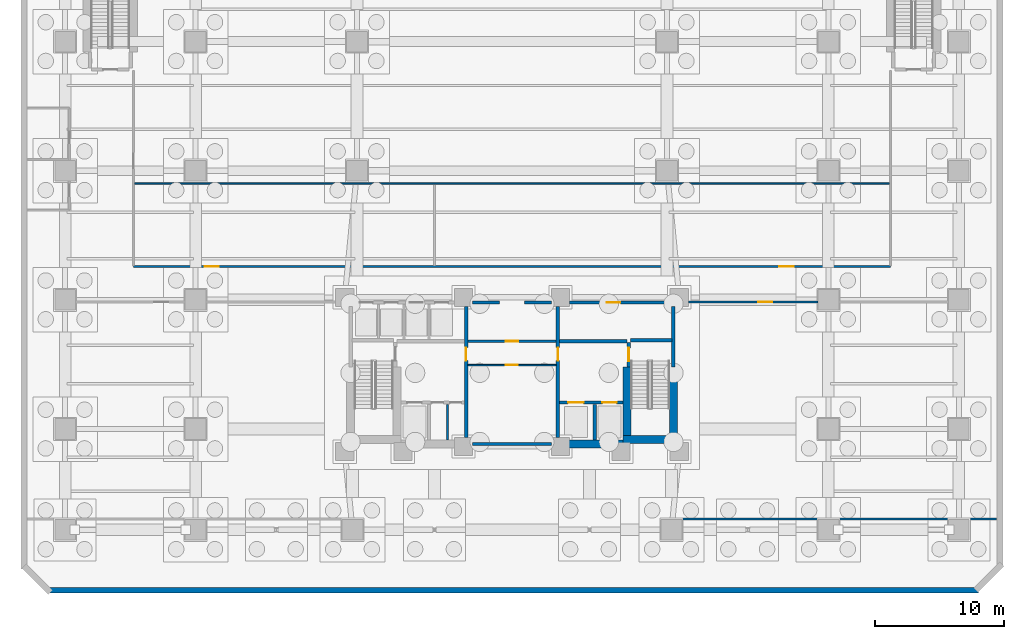
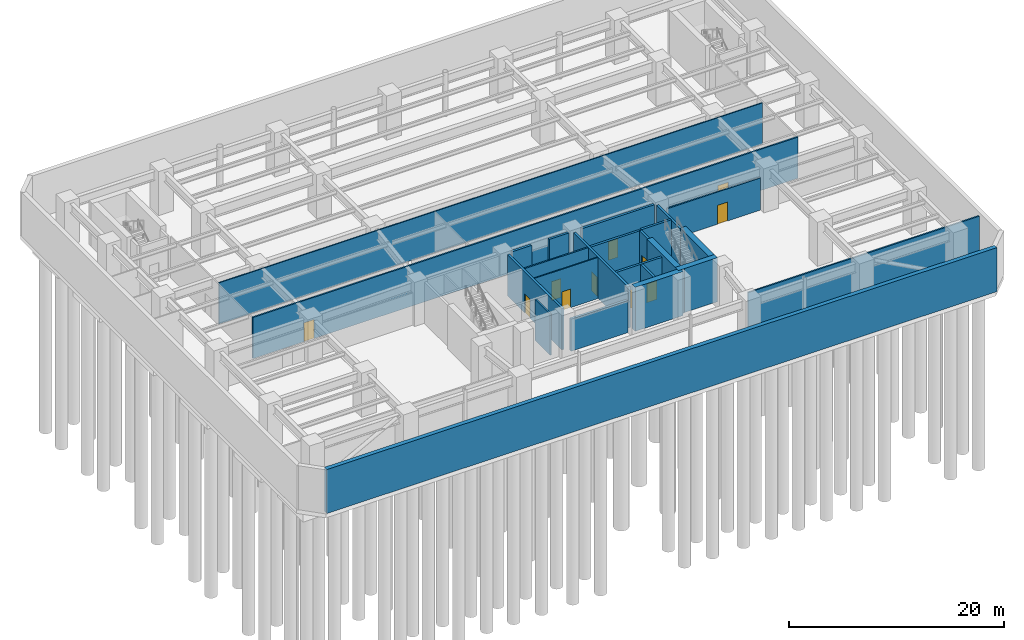
# One storey, part 9 of 15: 24 walls, 11 doors, 11 openings.
"""IFC4 building model written with IfcOpenShell, lengths in metres."""

from ifc_helpers import new_model, si_unit, direction, frame, frame_2d, origin, place, context, subcontext, project, spatial, rectangle, extrude, material, layer, layer_set, type_object, element, fill, save


model = new_model("IFC4")

# Units and contexts
model_context = context("Model", 3, precision=1e-05, world=origin(), true_north=direction((0.0, 1.0)))
body_context = subcontext(model_context, "Body", "Model", "MODEL_VIEW")
ifc_project = project(units=[si_unit("LENGTHUNIT", "METRE"), si_unit("AREAUNIT", "SQUARE_METRE"), si_unit("VOLUMEUNIT", "CUBIC_METRE"), si_unit("PLANEANGLEUNIT", "RADIAN"), si_unit("MASSUNIT", "GRAM", prefix="KILO")], contexts=[model_context])

# Site, building, storey
site_placement = place(None, origin())
site = spatial("IfcSite", under=ifc_project, at=site_placement, CompositionType="ELEMENT")
building_placement = place(site_placement, origin())
building = spatial("IfcBuilding", under=site, at=building_placement, Name="Quenlor Broadcast Tower", CompositionType="ELEMENT")
storey_placement = place(building_placement, frame((0.0, 0.0, -10.0)))
storey = spatial("IfcBuildingStorey", under=building, at=storey_placement, Name="B02", CompositionType="ELEMENT", Elevation=-10.0)

# Walls
ifc_material_1 = material(Name="Concrete C50/60", Category="concrete")
ifc_layer_1 = layer(ifc_material_1, 0.449951171875)
ifc_layer_set_1 = layer_set([ifc_layer_1], Name="Basement Concrete C50/60 Retaining Wall 450")
wall_type_1 = type_object("IfcWallType", Name="Basement Concrete C50/60 Retaining Wall 450", PredefinedType="USERDEFINED", material=ifc_layer_set_1)
wall_1_placement = place(storey_placement, frame((36.1318359375, -27.47509765625, 0.0), z_axis=(0.0, 0.0, 1.0), x_axis=(-1.0, 0.0, 0.0)))
element("IfcWall", 1, at=wall_1_placement, inside=storey, type_object=wall_type_1, Name="B02 Perimeter Retaining Wall 8", ObjectType="RETAININGWALL", PredefinedType="USERDEFINED", context=body_context, shape_type="SweptSolid", body=[
    extrude(rectangle(XDim=72.03857421875, YDim=0.449951171875, at=frame_2d((36.019287109375, 0.0))), origin(), (0.0, 0.0, 1.0), 5.0),
])
ifc_material_2 = material(Name="Concrete C65/80", Category="concrete")
ifc_layer_2 = layer(ifc_material_2, 0.60009765625)
ifc_layer_set_2 = layer_set([ifc_layer_2], Name="Core Concrete C65/80 Shear Wall 600")
wall_type_2 = type_object("IfcWallType", Name="Core Concrete C65/80 Shear Wall 600", PredefinedType="SHEAR", material=ifc_layer_set_2)
wall_2_placement = place(storey_placement, frame((3.75, -16.14990234375, 0.0), z_axis=(0.0, 0.0, 1.0), x_axis=(1.0, 0.0, 0.0)))
element("IfcWall", 2, at=wall_2_placement, inside=storey, type_object=wall_type_2, Name="B02 Core Shear Wall WS-E1", PredefinedType="SHEAR", context=body_context, shape_type="SweptSolid", body=[
    extrude(rectangle(XDim=5.14990234375, YDim=0.60009765625, at=frame_2d((2.574951171875, 0.0))), origin(), (0.0, 0.0, 1.0), 5.0),
])
wall_3_placement = place(storey_placement, frame((8.60009765625, -15.800048828125, 0.0), z_axis=(0.0, 0.0, 1.0), x_axis=(1.0, 0.0, 0.0)))
element("IfcWall", 3, at=wall_3_placement, inside=storey, type_object=wall_type_2, Name="B02 Core Shear Wall WS-E2", PredefinedType="SHEAR", context=body_context, shape_type="SweptSolid", body=[
    extrude(rectangle(XDim=4.199951171875, YDim=0.60009765625, at=frame_2d((2.10009765625, 0.0))), origin(), (0.0, 0.0, 1.0), 5.0),
])
wall_4_placement = place(storey_placement, frame((12.5, -15.800048828125, 0.0), z_axis=(0.0, 0.0, 1.0), x_axis=(0.0, 1.0, 0.0)))
element("IfcWall", 4, at=wall_4_placement, inside=storey, type_object=wall_type_2, Name="B02 Core Shear Wall WF-E", PredefinedType="SHEAR", context=body_context, shape_type="SweptSolid", body=[
    extrude(rectangle(XDim=5.60009765625, YDim=0.60009765625, at=frame_2d((2.800048828125, 0.0))), origin(), (0.0, 0.0, 1.0), 5.0),
])
wall_5_placement = place(storey_placement, frame((8.89990234375, -16.14990234375, 0.0), z_axis=(0.0, 0.0, 1.0), x_axis=(0.0, 1.0, 0.0)))
element("IfcWall", 5, at=wall_5_placement, inside=storey, type_object=wall_type_2, Name="B02 Core Shear Wall WI-E", PredefinedType="SHEAR", context=body_context, shape_type="SweptSolid", body=[
    extrude(rectangle(XDim=5.949951171875, YDim=0.60009765625, at=frame_2d((2.97509765625, 0.0))), origin(), (0.0, 0.0, 1.0), 5.0),
])

# Wall, opening, door
ifc_material_3 = material(Name="Concrete C40/50", Category="concrete")
ifc_layer_3 = layer(ifc_material_3, 0.25)
ifc_layer_set_3 = layer_set([ifc_layer_3], Name="Fire Rated Concrete C40/50 Core Wall 250")
wall_type_3 = type_object("IfcWallType", Name="Fire Rated Concrete C40/50 Core Wall 250", PredefinedType="PARTITIONING", material=ifc_layer_set_3)
wall_6_placement = place(storey_placement, frame((9.0400390625, -10.179931640625, 0.0), z_axis=(0.0, 0.0, 1.0), x_axis=(0.0, 1.0, 0.0)))
wall_6 = element("IfcWall", 6, at=wall_6_placement, inside=storey, type_object=wall_type_3, Name="B02 Interior Wall CW-ST2-DR", PredefinedType="PARTITIONING", context=body_context, shape_type="SweptSolid", body=[
    extrude(rectangle(XDim=1.89990234375, YDim=0.25, at=frame_2d((0.949951171875, 0.0))), origin(), (0.0, 0.0, 1.0), 4.679931640625),
])
opening_1_placement = place(wall_6_placement, frame((0.419921875, 0.0, 0.0)))
opening_1 = element("IfcOpeningElement", 7, at=opening_1_placement, cuts=wall_6, Name="Opening FD-1", PredefinedType="OPENING", context=body_context, shape_type="SweptSolid", body=[
    extrude(rectangle(XDim=1.050048828125, YDim=2.14990234375, at=frame_2d((0.52490234375, 1.074951171875))), frame((0.0, 0.135009765625, 0.0), z_axis=(0.0, -1.0, 0.0), x_axis=(1.0, 0.0, 0.0)), (0.0, 0.0, 1.0), 0.27001953125),
])
ifc_material_4 = material(Name="Fire Rated Steel Door Leaf", Category="steel")
door_type_1 = type_object("IfcDoorType", Name="Fire Isolated Stair Door 1050x2150", OperationType="NOTDEFINED", PredefinedType="DOOR", material=ifc_material_4)
door_1_placement = place(opening_1_placement, origin())
door_1 = element("IfcDoor", 8, at=door_1_placement, inside=storey, type_object=door_type_1, Name="B02 Door DR-ST2", OperationType="SINGLE_SWING_RIGHT", OverallHeight=2.14990234375, OverallWidth=1.050048828125, PredefinedType="DOOR", context=body_context, shape_type="SweptSolid", body=[
    extrude(rectangle(XDim=1.050048828125, YDim=2.14990234375, at=frame_2d((0.52490234375, 1.074951171875))), frame((0.0, 0.02490234375, 0.0), z_axis=(0.0, -1.0, 0.0), x_axis=(1.0, 0.0, 0.0)), (0.0, 0.0, 1.0), 0.050048828125),
])
fill(opening_1, door_1)

# Walls
wall_7_placement = place(storey_placement, frame((9.159912109375, -8.1201171875, 0.0), z_axis=(0.0, 0.0, 1.0), x_axis=(1.0, 0.0, 0.0)))
element("IfcWall", 9, at=wall_7_placement, inside=storey, type_object=wall_type_3, Name="B02 Interior Wall CW-ST2-N", PredefinedType="PARTITIONING", context=body_context, shape_type="SweptSolid", body=[
    extrude(rectangle(XDim=3.219970703125, YDim=0.25, at=frame_2d((1.60986328125, 0.0))), origin(), (0.0, 0.0, 1.0), 4.679931640625),
])
wall_8_placement = place(storey_placement, frame((12.47998046875, -10.179931640625, 0.0), z_axis=(0.0, 0.0, 1.0), x_axis=(0.0, 1.0, 0.0)))
element("IfcWall", 10, at=wall_8_placement, inside=storey, type_object=wall_type_3, Name="B02 Interior Wall CW-ST2-E2", PredefinedType="PARTITIONING", context=body_context, shape_type="SweptSolid", body=[
    extrude(rectangle(XDim=4.677978515625, YDim=0.25, at=frame_2d((2.3388671875, 0.0))), origin(), (0.0, 0.0, 1.0), 4.679931640625),
])

# Wall, openings, doors
wall_9_placement = place(storey_placement, frame((3.679931640625, -12.949951171875, 0.0), z_axis=(0.0, 0.0, 1.0), x_axis=(1.0, 0.0, 0.0)))
wall_9 = element("IfcWall", 11, at=wall_9_placement, inside=storey, type_object=wall_type_3, Name="B02 Interior Wall CW-FFE-S", PredefinedType="PARTITIONING", context=body_context, shape_type="SweptSolid", body=[
    extrude(rectangle(XDim=4.91796875, YDim=0.25, at=frame_2d((2.458984375, 0.0))), origin(), (0.0, 0.0, 1.0), 4.679931640625),
])
opening_2_placement = place(wall_9_placement, frame((3.320068359375, 0.0, 0.0)))
opening_2 = element("IfcOpeningElement", 12, at=opening_2_placement, cuts=wall_9, Name="Opening LD-FFL-2", PredefinedType="OPENING", context=body_context, shape_type="SweptSolid", body=[
    extrude(rectangle(XDim=1.10009765625, YDim=2.14990234375, at=frame_2d((0.550048828125, 1.074951171875))), frame((0.0, 0.135009765625, 0.0), z_axis=(0.0, -1.0, 0.0), x_axis=(1.0, 0.0, 0.0)), (0.0, 0.0, 1.0), 0.27001953125),
])
opening_3_placement = place(wall_9_placement, frame((0.669921875, 0.0, 0.0)))
opening_3 = element("IfcOpeningElement", 13, at=opening_3_placement, cuts=wall_9, Name="Opening LD-SVL-1", PredefinedType="OPENING", context=body_context, shape_type="SweptSolid", body=[
    extrude(rectangle(XDim=1.199951171875, YDim=2.14990234375, at=frame_2d((0.60009765625, 1.074951171875))), frame((0.0, 0.135009765625, 0.0), z_axis=(0.0, -1.0, 0.0), x_axis=(1.0, 0.0, 0.0)), (0.0, 0.0, 1.0), 0.27001953125),
])
ifc_material_5 = material(Name="Brushed Stainless Steel", Category="steel")
door_type_2 = type_object("IfcDoorType", Name="Emergency Lift Sliding Landing Door 1100x2150", OperationType="NOTDEFINED", PredefinedType="DOOR", material=ifc_material_5)
door_2_placement = place(opening_2_placement, origin())
door_2 = element("IfcDoor", 14, at=door_2_placement, inside=storey, type_object=door_type_2, Name="B02 Door LD-FFL-2", OperationType="SLIDING_TO_RIGHT", OverallHeight=2.14990234375, OverallWidth=1.10009765625, PredefinedType="DOOR", context=body_context, shape_type="SweptSolid", body=[
    extrude(rectangle(XDim=1.10009765625, YDim=2.14990234375, at=frame_2d((0.550048828125, 1.074951171875))), frame((0.0, 0.02490234375, 0.0), z_axis=(0.0, -1.0, 0.0), x_axis=(1.0, 0.0, 0.0)), (0.0, 0.0, 1.0), 0.050048828125),
])
fill(opening_2, door_2)
ifc_material_6 = material(Name="Brushed Stainless Steel", Category="steel")
door_type_3 = type_object("IfcDoorType", Name="Goods Lift Sliding Landing Door 1200x2150", OperationType="NOTDEFINED", PredefinedType="DOOR", material=ifc_material_6)
door_3_placement = place(opening_3_placement, origin())
door_3 = element("IfcDoor", 15, at=door_3_placement, inside=storey, type_object=door_type_3, Name="B02 Door LD-SVL-1", OperationType="SLIDING_TO_LEFT", OverallHeight=2.14990234375, OverallWidth=1.199951171875, PredefinedType="DOOR", context=body_context, shape_type="SweptSolid", body=[
    extrude(rectangle(XDim=1.199951171875, YDim=2.14990234375, at=frame_2d((0.60009765625, 1.074951171875))), frame((0.0, 0.02490234375, 0.0), z_axis=(0.0, -1.0, 0.0), x_axis=(1.0, 0.0, 0.0)), (0.0, 0.0, 1.0), 0.050048828125),
])
fill(opening_3, door_3)

# Walls
wall_10_placement = place(storey_placement, frame((6.39990234375, -15.847900390625, 0.0), z_axis=(0.0, 0.0, 1.0), x_axis=(0.0, 1.0, 0.0)))
element("IfcWall", 16, at=wall_10_placement, inside=storey, type_object=wall_type_3, Name="B02 Interior Wall CW-SV1-E", PredefinedType="PARTITIONING", context=body_context, shape_type="SweptSolid", body=[
    extrude(rectangle(XDim=2.7578125, YDim=0.25, at=frame_2d((1.37890625, 0.0))), origin(), (0.0, 0.0, 1.0), 4.679931640625),
])
wall_11_placement = place(storey_placement, frame((3.679931640625, -8.199951171875, 0.0), z_axis=(0.0, 0.0, 1.0), x_axis=(1.0, 0.0, 0.0)))
element("IfcWall", 17, at=wall_11_placement, inside=storey, type_object=wall_type_3, Name="B02 Interior Wall CW-FFE-N", PredefinedType="PARTITIONING", context=body_context, shape_type="SweptSolid", body=[
    extrude(rectangle(XDim=5.239990234375, YDim=0.25, at=frame_2d((2.6201171875, 0.0))), origin(), (0.0, 0.0, 1.0), 4.679931640625),
])

# Wall, opening, door
wall_12_placement = place(storey_placement, frame((-3.550048828125, -15.64794921875, 0.0), z_axis=(0.0, 0.0, 1.0), x_axis=(0.0, 1.0, 0.0)))
wall_12 = element("IfcWall", 18, at=wall_12_placement, inside=storey, type_object=wall_type_3, Name="B02 Interior Wall CW-FFW-E", PredefinedType="PARTITIONING", context=body_context, shape_type="SweptSolid", body=[
    extrude(rectangle(XDim=10.14599609375, YDim=0.25, at=frame_2d((5.072998046875, 0.0))), origin(), (0.0, 0.0, 1.0), 4.679931640625),
])
opening_4_placement = place(wall_12_placement, frame((5.947998046875, 0.0, 0.0)))
opening_4 = element("IfcOpeningElement", 19, at=opening_4_placement, cuts=wall_12, Name="Opening FD-2", PredefinedType="OPENING", context=body_context, shape_type="SweptSolid", body=[
    extrude(rectangle(XDim=1.0, YDim=2.14990234375, at=frame_2d((0.5, 1.074951171875))), frame((0.0, 0.135009765625, 0.0), z_axis=(0.0, -1.0, 0.0), x_axis=(1.0, 0.0, 0.0)), (0.0, 0.0, 1.0), 0.27001953125),
])
ifc_material_7 = material(Name="Fire Rated Glazed Steel Door", Category="steel")
door_type_4 = type_object("IfcDoorType", Name="Firefighting Lobby Smoke Door 1000x2150", OperationType="NOTDEFINED", PredefinedType="DOOR", material=ifc_material_7)
door_4_placement = place(opening_4_placement, origin())
door_4 = element("IfcDoor", 20, at=door_4_placement, inside=storey, type_object=door_type_4, Name="B02 Door DR-FFLW", OperationType="SINGLE_SWING_RIGHT", OverallHeight=2.14990234375, OverallWidth=1.0, PredefinedType="DOOR", context=body_context, shape_type="SweptSolid", body=[
    extrude(rectangle(XDim=1.0, YDim=2.14990234375, at=frame_2d((0.5, 1.074951171875))), frame((0.0, 0.02490234375, 0.0), z_axis=(0.0, -1.0, 0.0), x_axis=(1.0, 0.0, 0.0)), (0.0, 0.0, 1.0), 0.050048828125),
])
fill(opening_4, door_4)

wall_13_placement = place(storey_placement, frame((3.550048828125, -15.64794921875, 0.0), z_axis=(0.0, 0.0, 1.0), x_axis=(0.0, 1.0, 0.0)))
wall_13 = element("IfcWall", 21, at=wall_13_placement, inside=storey, type_object=wall_type_3, Name="B02 Interior Wall CW-FFE-W", PredefinedType="PARTITIONING", context=body_context, shape_type="SweptSolid", body=[
    extrude(rectangle(XDim=10.14599609375, YDim=0.25, at=frame_2d((5.072998046875, 0.0))), origin(), (0.0, 0.0, 1.0), 4.679931640625),
])
opening_5_placement = place(wall_13_placement, frame((5.947998046875, 0.0, 0.0)))
opening_5 = element("IfcOpeningElement", 22, at=opening_5_placement, cuts=wall_13, Name="Opening FD-2", PredefinedType="OPENING", context=body_context, shape_type="SweptSolid", body=[
    extrude(rectangle(XDim=1.0, YDim=2.14990234375, at=frame_2d((0.5, 1.074951171875))), frame((0.0, 0.135009765625, 0.0), z_axis=(0.0, -1.0, 0.0), x_axis=(1.0, 0.0, 0.0)), (0.0, 0.0, 1.0), 0.27001953125),
])
door_5_placement = place(opening_5_placement, origin())
door_5 = element("IfcDoor", 23, at=door_5_placement, inside=storey, type_object=door_type_4, Name="B02 Door DR-FFLE", OperationType="SINGLE_SWING_LEFT", OverallHeight=2.14990234375, OverallWidth=1.0, PredefinedType="DOOR", context=body_context, shape_type="SweptSolid", body=[
    extrude(rectangle(XDim=1.0, YDim=2.14990234375, at=frame_2d((0.5, 1.074951171875))), frame((0.0, 0.02490234375, 0.0), z_axis=(0.0, -1.0, 0.0), x_axis=(1.0, 0.0, 0.0)), (0.0, 0.0, 1.0), 0.050048828125),
])
fill(opening_5, door_5)

wall_14_placement = place(storey_placement, frame((4.451904296875, -5.199951171875, 0.0), z_axis=(0.0, 0.0, 1.0), x_axis=(1.0, 0.0, 0.0)))
wall_14 = element("IfcWall", 24, at=wall_14_placement, inside=storey, type_object=wall_type_3, Name="B02 Interior Wall CW-N-E", PredefinedType="PARTITIONING", context=body_context, shape_type="SweptSolid", body=[
    extrude(rectangle(XDim=7.796142578125, YDim=0.25, at=frame_2d((3.89794921875, 0.0))), origin(), (0.0, 0.0, 1.0), 4.679931640625),
])
opening_6_placement = place(wall_14_placement, frame((2.89794921875, 0.0, 0.0)))
opening_6 = element("IfcOpeningElement", 25, at=opening_6_placement, cuts=wall_14, Name="Opening FD-3", PredefinedType="OPENING", context=body_context, shape_type="SweptSolid", body=[
    extrude(rectangle(XDim=1.050048828125, YDim=2.1201171875, at=frame_2d((0.52490234375, 1.06005859375))), frame((0.0, 0.135009765625, 0.0), z_axis=(0.0, -1.0, 0.0), x_axis=(1.0, 0.0, 0.0)), (0.0, 0.0, 1.0), 0.27001953125),
])
ifc_material_8 = material(Name="Galvanised Fire Steel Leaf", Category="steel")
door_type_5 = type_object("IfcDoorType", Name="Plant Room Fire Rated Door 1050x2120", OperationType="NOTDEFINED", PredefinedType="DOOR", material=ifc_material_8)
door_6_placement = place(opening_6_placement, origin())
door_6 = element("IfcDoor", 26, at=door_6_placement, inside=storey, type_object=door_type_5, Name="B02 Door DR-RCH1", OperationType="SINGLE_SWING_RIGHT", OverallHeight=2.1201171875, OverallWidth=1.050048828125, PredefinedType="DOOR", context=body_context, shape_type="SweptSolid", body=[
    extrude(rectangle(XDim=1.050048828125, YDim=2.1201171875, at=frame_2d((0.52490234375, 1.06005859375))), frame((0.0, 0.02490234375, 0.0), z_axis=(0.0, -1.0, 0.0), x_axis=(1.0, 0.0, 0.0)), (0.0, 0.0, 1.0), 0.050048828125),
])
fill(opening_6, door_6)

# Walls
for number, where, z_axis, x_axis, name in (
    (27, (-3.048095703125, -5.199951171875, 0.0), (0.0, 0.0, 1.0), (1.0, 0.0, 0.0), "B02 Interior Wall CW-N-M1"),
    (28, (0.949951171875, -5.199951171875, 0.0), (0.0, 0.0, 1.0), (1.0, 0.0, 0.0), "B02 Interior Wall CW-N-M2"),
):
    element("IfcWall", number, at=place(storey_placement, frame(where, z_axis=z_axis, x_axis=x_axis)), inside=storey, type_object=wall_type_3, Name=name, PredefinedType="PARTITIONING", context=body_context, shape_type="SweptSolid", body=[
        extrude(rectangle(XDim=2.09814453125, YDim=0.25, at=frame_2d((1.049072265625, 0.0))), origin(), (0.0, 0.0, 1.0), 4.679931640625),
    ])
wall_15_placement = place(storey_placement, frame((-3.048095703125, -16.14990234375, 0.0), z_axis=(0.0, 0.0, 1.0), x_axis=(1.0, 0.0, 0.0)))
element("IfcWall", 29, at=wall_15_placement, inside=storey, type_object=wall_type_3, Name="B02 Interior Wall CW-MS-S", PredefinedType="PARTITIONING", context=body_context, shape_type="SweptSolid", body=[
    extrude(rectangle(XDim=6.09619140625, YDim=0.25, at=frame_2d((3.048095703125, 0.0))), origin(), (0.0, 0.0, 1.0), 3.656005859375),
])
ifc_material_9 = material(Name="Gypsum Fireboard Partition", Category="other")
ifc_layer_4 = layer(ifc_material_9, 0.159912109375)
ifc_layer_set_4 = layer_set([ifc_layer_4], Name="Fire Rated Shaft and Corridor Partition 160")
wall_type_4 = type_object("IfcWallType", Name="Fire Rated Shaft and Corridor Partition 160", PredefinedType="PARTITIONING", material=ifc_layer_set_4)
wall_16_placement = place(storey_placement, frame((-4.97998046875, -15.847900390625, 0.0), z_axis=(0.0, 0.0, 1.0), x_axis=(0.0, 1.0, 0.0)))
element("IfcWall", 30, at=wall_16_placement, inside=storey, type_object=wall_type_4, Name="B02 Interior Wall CW-ELR-E", PredefinedType="PARTITIONING", context=body_context, shape_type="SweptSolid", body=[
    extrude(rectangle(XDim=2.7578125, YDim=0.159912109375, at=frame_2d((1.37890625, 0.0))), origin(), (0.0, 0.0, 1.0), 4.679931640625),
])

# Wall, opening, door
wall_17_placement = place(storey_placement, frame((-3.419921875, -8.199951171875, 0.0), z_axis=(0.0, 0.0, 1.0), x_axis=(1.0, 0.0, 0.0)))
wall_17 = element("IfcWall", 31, at=wall_17_placement, inside=storey, type_object=wall_type_4, Name="B02 Interior Wall CW-M-BACK", PredefinedType="PARTITIONING", context=body_context, shape_type="SweptSolid", body=[
    extrude(rectangle(XDim=6.83984375, YDim=0.159912109375, at=frame_2d((3.419921875, 0.0))), origin(), (0.0, 0.0, 1.0), 4.679931640625),
])
opening_7_placement = place(wall_17_placement, frame((2.919921875, 0.0, 0.0)))
opening_7 = element("IfcOpeningElement", 32, at=opening_7_placement, cuts=wall_17, Name="Opening FD-2", PredefinedType="OPENING", context=body_context, shape_type="SweptSolid", body=[
    extrude(rectangle(XDim=1.0, YDim=2.14990234375, at=frame_2d((0.5, 1.074951171875))), frame((0.0, 0.08984375, 0.0), z_axis=(0.0, -1.0, 0.0), x_axis=(1.0, 0.0, 0.0)), (0.0, 0.0, 1.0), 0.179931640625),
])
door_7_placement = place(opening_7_placement, origin())
door_7 = element("IfcDoor", 33, at=door_7_placement, inside=storey, type_object=door_type_4, Name="B02 Door DR-CCRP", OperationType="SINGLE_SWING_LEFT", OverallHeight=2.14990234375, OverallWidth=1.0, PredefinedType="DOOR", context=body_context, shape_type="SweptSolid", body=[
    extrude(rectangle(XDim=1.0, YDim=2.14990234375, at=frame_2d((0.5, 1.074951171875))), frame((0.0, 0.02490234375, 0.0), z_axis=(0.0, -1.0, 0.0), x_axis=(1.0, 0.0, 0.0)), (0.0, 0.0, 1.0), 0.050048828125),
])
fill(opening_7, door_7)

# Wall
wall_18_placement = place(storey_placement, frame((12.64990234375, -21.97998046875, 0.0), z_axis=(0.0, 0.0, 1.0), x_axis=(1.0, 0.0, 0.0)))
element("IfcWall", 34, at=wall_18_placement, inside=storey, type_object=wall_type_4, Name="B02 Interior Wall PW-BM-BSE", PredefinedType="PARTITIONING", context=body_context, shape_type="SweptSolid", body=[
    extrude(rectangle(XDim=24.85009765625, YDim=0.159912109375, at=frame_2d((12.425048828125, 0.0))), origin(), (0.0, 0.0, 1.0), 4.679931640625),
])

# Wall, openings, doors
wall_19_placement = place(storey_placement, frame((-29.300048828125, -2.419921875, 0.0), z_axis=(0.0, 0.0, 1.0), x_axis=(1.0, 0.0, 0.0)))
wall_19 = element("IfcWall", 35, at=wall_19_placement, inside=storey, type_object=wall_type_4, Name="B02 Interior Wall PW-PD-CN", PredefinedType="PARTITIONING", context=body_context, shape_type="SweptSolid", body=[
    extrude(rectangle(XDim=58.60009765625, YDim=0.159912109375, at=frame_2d((29.300048828125, 0.0))), origin(), (0.0, 0.0, 1.0), 4.679931640625),
])
opening_8_placement = place(wall_19_placement, frame((5.5, 0.0, 0.0)))
opening_8 = element("IfcOpeningElement", 36, at=opening_8_placement, cuts=wall_19, Name="Opening ID-2", PredefinedType="OPENING", context=body_context, shape_type="SweptSolid", body=[
    extrude(rectangle(XDim=1.10009765625, YDim=2.14990234375, at=frame_2d((0.550048828125, 1.074951171875))), frame((0.0, 0.08984375, 0.0), z_axis=(0.0, -1.0, 0.0), x_axis=(1.0, 0.0, 0.0)), (0.0, 0.0, 1.0), 0.179931640625),
])
opening_9_placement = place(wall_19_placement, frame((50.0, 0.0, 0.0)))
opening_9 = element("IfcOpeningElement", 37, at=opening_9_placement, cuts=wall_19, Name="Opening ID-2", PredefinedType="OPENING", context=body_context, shape_type="SweptSolid", body=[
    extrude(rectangle(XDim=1.10009765625, YDim=2.14990234375, at=frame_2d((0.550048828125, 1.074951171875))), frame((0.0, 0.08984375, 0.0), z_axis=(0.0, -1.0, 0.0), x_axis=(1.0, 0.0, 0.0)), (0.0, 0.0, 1.0), 0.179931640625),
])
ifc_material_10 = material(Name="Acoustic Laminated Timber Oak", Category="wood")
door_type_6 = type_object("IfcDoorType", Name="Wide Studio Acoustic Timber Door 1100x2150", OperationType="NOTDEFINED", PredefinedType="DOOR", material=ifc_material_10)
door_8_placement = place(opening_8_placement, origin())
door_8 = element("IfcDoor", 38, at=door_8_placement, inside=storey, type_object=door_type_6, Name="B02 Door DR-PD3", OperationType="SINGLE_SWING_LEFT", OverallHeight=2.14990234375, OverallWidth=1.10009765625, PredefinedType="DOOR", context=body_context, shape_type="SweptSolid", body=[
    extrude(rectangle(XDim=1.10009765625, YDim=2.14990234375, at=frame_2d((0.550048828125, 1.074951171875))), frame((0.0, 0.02490234375, 0.0), z_axis=(0.0, -1.0, 0.0), x_axis=(1.0, 0.0, 0.0)), (0.0, 0.0, 1.0), 0.050048828125),
])
fill(opening_8, door_8)
door_9_placement = place(opening_9_placement, origin())
door_9 = element("IfcDoor", 39, at=door_9_placement, inside=storey, type_object=door_type_6, Name="B02 Door DR-PD4", OperationType="SINGLE_SWING_RIGHT", OverallHeight=2.14990234375, OverallWidth=1.10009765625, PredefinedType="DOOR", context=body_context, shape_type="SweptSolid", body=[
    extrude(rectangle(XDim=1.10009765625, YDim=2.14990234375, at=frame_2d((0.550048828125, 1.074951171875))), frame((0.0, 0.02490234375, 0.0), z_axis=(0.0, -1.0, 0.0), x_axis=(1.0, 0.0, 0.0)), (0.0, 0.0, 1.0), 0.050048828125),
])
fill(opening_9, door_9)

# Wall, opening, door
wall_20_placement = place(storey_placement, frame((13.652099609375, -5.14990234375, 0.0), z_axis=(0.0, 0.0, 1.0), x_axis=(1.0, 0.0, 0.0)))
wall_20 = element("IfcWall", 40, at=wall_20_placement, inside=storey, type_object=wall_type_4, Name="B02 Interior Wall PW-PD-CSE", PredefinedType="PARTITIONING", context=body_context, shape_type="SweptSolid", body=[
    extrude(rectangle(XDim=10.0458984375, YDim=0.159912109375, at=frame_2d((5.02294921875, 0.0))), origin(), (0.0, 0.0, 1.0), 3.656005859375),
])
opening_10_placement = place(wall_20_placement, frame((5.39794921875, 0.0, 0.0)))
opening_10 = element("IfcOpeningElement", 41, at=opening_10_placement, cuts=wall_20, Name="Opening ID-2", PredefinedType="OPENING", context=body_context, shape_type="SweptSolid", body=[
    extrude(rectangle(XDim=1.10009765625, YDim=2.14990234375, at=frame_2d((0.550048828125, 1.074951171875))), frame((0.0, 0.08984375, 0.0), z_axis=(0.0, -1.0, 0.0), x_axis=(1.0, 0.0, 0.0)), (0.0, 0.0, 1.0), 0.179931640625),
])
door_10_placement = place(opening_10_placement, origin())
door_10 = element("IfcDoor", 42, at=door_10_placement, inside=storey, type_object=door_type_6, Name="B02 Door DR-PD2", OperationType="SINGLE_SWING_RIGHT", OverallHeight=2.14990234375, OverallWidth=1.10009765625, PredefinedType="DOOR", context=body_context, shape_type="SweptSolid", body=[
    extrude(rectangle(XDim=1.10009765625, YDim=2.14990234375, at=frame_2d((0.550048828125, 1.074951171875))), frame((0.0, 0.02490234375, 0.0), z_axis=(0.0, -1.0, 0.0), x_axis=(1.0, 0.0, 0.0)), (0.0, 0.0, 1.0), 0.050048828125),
])
fill(opening_10, door_10)

ifc_material_11 = material(Name="Gypsum Plasterboard Partition", Category="other")
ifc_layer_5 = layer(ifc_material_11, 0.1201171875)
ifc_layer_set_5 = layer_set([ifc_layer_5], Name="Standard Office Partition 120")
wall_type_5 = type_object("IfcWallType", Name="Standard Office Partition 120", PredefinedType="PARTITIONING", material=ifc_layer_set_5)
wall_21_placement = place(storey_placement, frame((-3.419921875, -10.050048828125, 0.0), z_axis=(0.0, 0.0, 1.0), x_axis=(1.0, 0.0, 0.0)))
wall_21 = element("IfcWall", 43, at=wall_21_placement, inside=storey, type_object=wall_type_5, Name="B02 Interior Wall CW-MS-N", PredefinedType="PARTITIONING", context=body_context, shape_type="SweptSolid", body=[
    extrude(rectangle(XDim=6.83984375, YDim=0.1201171875, at=frame_2d((3.419921875, 0.0))), origin(), (0.0, 0.0, 1.0), 4.679931640625),
])
opening_11_placement = place(wall_21_placement, frame((2.949951171875, 0.0, 0.0)))
opening_11 = element("IfcOpeningElement", 44, at=opening_11_placement, cuts=wall_21, Name="Opening ID-1", PredefinedType="OPENING", context=body_context, shape_type="SweptSolid", body=[
    extrude(rectangle(XDim=0.919921875, YDim=2.1201171875, at=frame_2d((0.4599609375, 1.06005859375))), frame((0.0, 0.070068359375, 0.0), z_axis=(0.0, -1.0, 0.0), x_axis=(1.0, 0.0, 0.0)), (0.0, 0.0, 1.0), 0.14013671875),
])
ifc_material_12 = material(Name="Solid Core Timber Oak", Category="wood")
door_type_7 = type_object("IfcDoorType", Name="Single Leaf Timber Office Door 920x2120", OperationType="NOTDEFINED", PredefinedType="DOOR", material=ifc_material_12)
door_11_placement = place(opening_11_placement, origin())
door_11 = element("IfcDoor", 45, at=door_11_placement, inside=storey, type_object=door_type_7, Name="B02 Door DR-RCMA", OperationType="SINGLE_SWING_LEFT", OverallHeight=2.1201171875, OverallWidth=0.919921875, PredefinedType="DOOR", context=body_context, shape_type="SweptSolid", body=[
    extrude(rectangle(XDim=0.919921875, YDim=2.1201171875, at=frame_2d((0.4599609375, 1.06005859375))), frame((0.0, 0.02490234375, 0.0), z_axis=(0.0, -1.0, 0.0), x_axis=(1.0, 0.0, 0.0)), (0.0, 0.0, 1.0), 0.050048828125),
])
fill(opening_11, door_11)

# Wall
wall_22_placement = place(storey_placement, frame((-29.219970703125, 4.0, 0.0), z_axis=(0.0, 0.0, 1.0), x_axis=(1.0, 0.0, 0.0)))
element("IfcWall", 46, at=wall_22_placement, inside=storey, type_object=wall_type_5, Name="B02 Interior Wall PW-PD-HY", PredefinedType="PARTITIONING", context=body_context, shape_type="SweptSolid", body=[
    extrude(rectangle(XDim=58.43994140625, YDim=0.1201171875, at=frame_2d((29.219970703125, 0.0))), origin(), (0.0, 0.0, 1.0), 4.679931640625),
])

save(model, "model.ifc")
